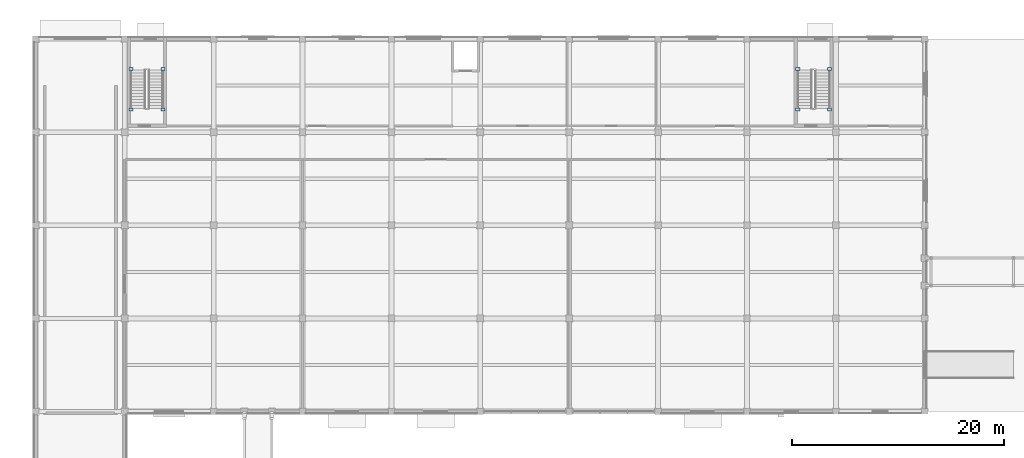
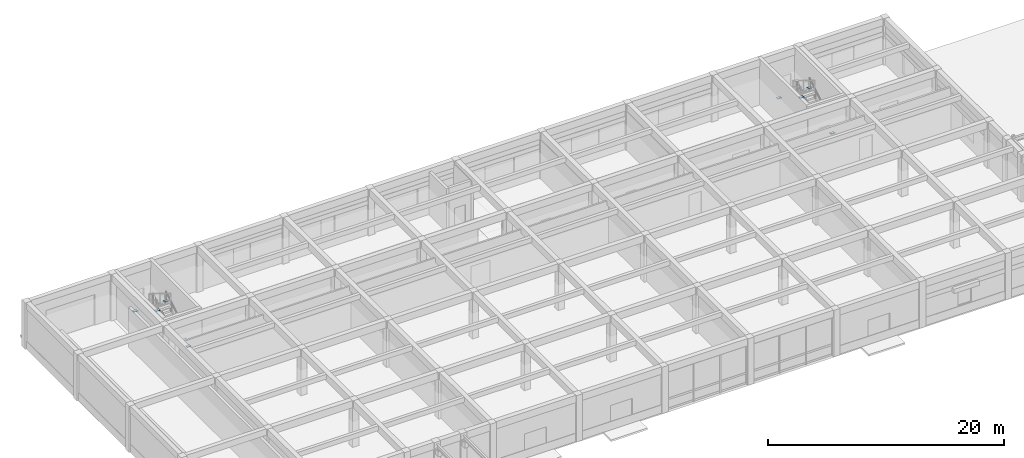
# One storey, part 31 of 58: 8 plates.
"""IFC4 building model written with IfcOpenShell, lengths in metres."""

from ifc_helpers import new_model, si_unit, direction, frame, origin, origin_2d, place, context, subcontext, project, spatial, rectangle, extrude, material, layer, layer_set, type_object, element, save


model = new_model("IFC4")

# Units and contexts
model_context = context("Model", 3, precision=1e-05, world=origin(), true_north=direction((0.0, 1.0)))
body_context = subcontext(model_context, "Body", "Model", "MODEL_VIEW")
ifc_project = project(units=[si_unit("LENGTHUNIT", "METRE"), si_unit("AREAUNIT", "SQUARE_METRE"), si_unit("VOLUMEUNIT", "CUBIC_METRE"), si_unit("PLANEANGLEUNIT", "RADIAN"), si_unit("MASSUNIT", "GRAM", prefix="KILO")], contexts=[model_context])

# Site, building, storey
site_placement = place(None, origin())
site = spatial("IfcSite", under=ifc_project, at=site_placement, CompositionType="ELEMENT")
building_placement = place(site_placement, origin())
building = spatial("IfcBuilding", under=site, at=building_placement, Name="Kemercrest Conservatory and Botanical Centre", CompositionType="ELEMENT")
storey_placement = place(building_placement, origin())
storey = spatial("IfcBuildingStorey", under=building, at=storey_placement, Name="L00", CompositionType="ELEMENT", Elevation=0.0)

# Plates
ifc_material = material(Name="Steel CSA G40.21 350W", Category="steel")
ifc_layer = layer(ifc_material, 0.030029296875)
ifc_layer_set = layer_set([ifc_layer], Name="Steel CSA G40.21 350W")
plate_type = type_object("IfcPlateType", Name="GN-05", PredefinedType="USERDEFINED", material=ifc_layer_set)
for number, where, z_axis, x_axis, name in (
    (1, (20.010009765625, 115.760009765625, -0.115234375), (0.0, 0.0, 1.0), (1.0, 0.0, 0.0), "Stair stringer base node cap GN-05 #23"),
    (2, (20.010009765625, 119.56005859375, 2.26513671875), (0.0, 0.0, 1.0), (1.0, 0.0, 0.0), "Stair stringer head node cap GN-05 #23"),
    (3, (16.989990234375, 115.760009765625, 4.6650390625), (0.0, 0.0, 1.0), (1.0, 0.0, 0.0), "Stair stringer base node cap GN-05 #24"),
    (4, (16.989990234375, 119.56005859375, 2.28515625), (0.0, 0.0, 1.0), (1.0, 0.0, 0.0), "Stair stringer head node cap GN-05 #24"),
    (5, (83.010009765625, 115.760009765625, -0.115234375), (0.0, 0.0, 1.0), (1.0, 0.0, 0.0), "Stair stringer base node cap GN-05 #31"),
    (6, (83.010009765625, 119.56005859375, 2.26513671875), (0.0, 0.0, 1.0), (1.0, 0.0, 0.0), "Stair stringer head node cap GN-05 #31"),
    (7, (79.989990234375, 115.760009765625, 4.6650390625), (0.0, 0.0, 1.0), (1.0, 0.0, 0.0), "Stair stringer base node cap GN-05 #32"),
    (8, (79.989990234375, 119.56005859375, 2.28515625), (0.0, 0.0, 1.0), (1.0, 0.0, 0.0), "Stair stringer head node cap GN-05 #32"),
):
    element("IfcPlate", number, at=place(storey_placement, frame(where, z_axis=z_axis, x_axis=x_axis)), inside=storey, type_object=plate_type, Name=name, ObjectType="GUSSET PLATE", PredefinedType="USERDEFINED", context=body_context, shape_type="SweptSolid", body=[
        extrude(rectangle(XDim=0.39990234375, YDim=0.280029296875, at=origin_2d()), origin(), (0.0, 0.0, 1.0), 0.030029296875),
    ])

save(model, "model.ifc")
